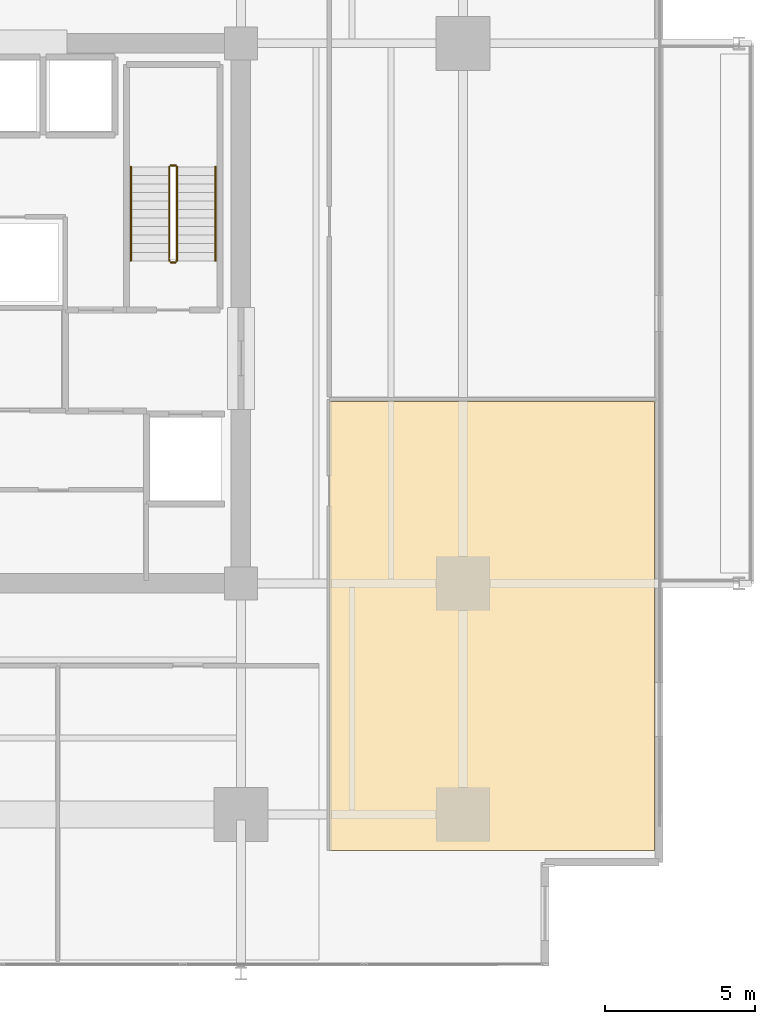
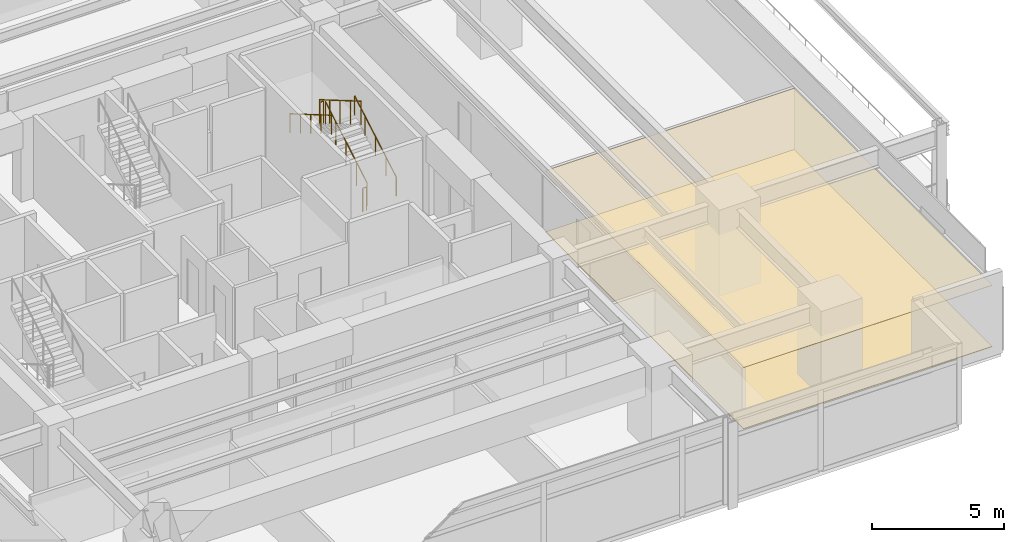
# One storey, part 20 of 21: 6 railings, 2 coverings.
"""IFC4 building model written with IfcOpenShell, lengths in metres."""

from ifc_helpers import new_model, si_unit, direction, frame, origin, origin_2d, place, context, subcontext, project, spatial, polyline, circle, outline, extrude, material, layer, layer_set, type_object, element, save


model = new_model("IFC4")

# Units and contexts
model_context = context("Model", 3, precision=1e-05, world=origin(), true_north=direction((0.0, 1.0)))
body_context = subcontext(model_context, "Body", "Model", "MODEL_VIEW")
ifc_project = project(units=[si_unit("LENGTHUNIT", "METRE"), si_unit("AREAUNIT", "SQUARE_METRE"), si_unit("VOLUMEUNIT", "CUBIC_METRE"), si_unit("PLANEANGLEUNIT", "RADIAN"), si_unit("MASSUNIT", "GRAM", prefix="KILO")], contexts=[model_context])

# Site, building, storey
site_placement = place(None, origin())
site = spatial("IfcSite", under=ifc_project, at=site_placement, CompositionType="ELEMENT")
building_placement = place(site_placement, origin())
building = spatial("IfcBuilding", under=site, at=building_placement, Name="Kovane Verandah Tower", CompositionType="ELEMENT")
storey_placement = place(building_placement, frame((0.0, 0.0, 31.60009765625)))
storey = spatial("IfcBuildingStorey", under=building, at=storey_placement, Name="L06", CompositionType="ELEMENT", Elevation=31.60009765625)

# Coverings
ifc_material_1 = material(Name="Perforated Acoustic Mineral-Fibre Ceiling Tile", Category="gypsum")
ifc_layer_1 = layer(ifc_material_1, 0.02490234375)
ifc_layer_set_1 = layer_set([ifc_layer_1], Name="Perforated Acoustic Mineral-Fibre Ceiling Tile")
covering_type_1 = type_object("IfcCoveringType", Name="CV-CEIL-25", PredefinedType="CEILING", material=ifc_layer_set_1)
covering_1_placement = place(storey_placement, frame((0.0, 0.0, 2.824951171875)))
element("IfcCovering", 1, at=covering_1_placement, inside=storey, type_object=covering_type_1, Name="L06 Collaboration Hub E1 Acoustic Ceiling", PredefinedType="CEILING", context=body_context, shape_type="SweptSolid", body=[
    extrude(outline(polyline([(53.949951171875, 9.60498046875), (64.78564453125, 9.60498046875), (64.78564453125, 24.56689453125), (53.949951171875, 24.56689453125), (53.949951171875, 9.60498046875)])), origin(), (0.0, 0.0, 1.0), 0.02490234375),
])
ifc_material_2 = material(Name="Polished Terrazzo and Raised-Access Carpet Tile Finish", Category="concrete")
ifc_layer_2 = layer(ifc_material_2, 0.030029296875)
ifc_layer_set_2 = layer_set([ifc_layer_2], Name="Polished Terrazzo and Raised-Access Carpet Tile Finish")
covering_type_2 = type_object("IfcCoveringType", Name="CV-FLOR-30", PredefinedType="FLOORING", material=ifc_layer_set_2)
covering_2_placement = place(storey_placement, origin())
element("IfcCovering", 2, at=covering_2_placement, inside=storey, type_object=covering_type_2, Name="L06 Collaboration Hub E1 Floor Finish", PredefinedType="FLOORING", context=body_context, shape_type="SweptSolid", body=[
    extrude(outline(polyline([(53.949951171875, 9.60498046875), (64.78564453125, 9.60498046875), (64.78564453125, 24.56689453125), (53.949951171875, 24.56689453125), (53.949951171875, 9.60498046875)])), origin(), (0.0, 0.0, 1.0), 0.02978515625),
])

# Railings
ifc_material_3 = material(Name="Brushed Stainless Steel Handrail", Category="steel")
railing_type_1 = type_object("IfcRailingType", Name="RL-HAND-920", PredefinedType="HANDRAIL", material=ifc_material_3)
railing_1_placement = place(storey_placement, frame((50.14990234375, 29.25, 0.16650390625)))
element("IfcRailing", 3, at=railing_1_placement, inside=storey, type_object=railing_type_1, Name="L06 ST-02 stair handrail 1", PredefinedType="HANDRAIL", context=body_context, shape_type="SweptSolid", body=[
    extrude(circle(Radius=0.02392578125, at=origin_2d()), frame((0.0, 0.0, 0.8759765625), z_axis=(0.0, 0.863210265497, 0.504844567704), x_axis=(-1.0, 0.0, 0.0)), (0.0, 0.0, 1.0), 3.6318359375),
    extrude(circle(Radius=0.02099609375, at=origin_2d()), origin(), (0.0, 0.0, 1.0), 0.851806640625),
    extrude(circle(Radius=0.02099609375, at=origin_2d()), frame((0.0, 0.78369140625, 0.45849609375)), (0.0, 0.0, 1.0), 0.851806640625),
    extrude(circle(Radius=0.02099609375, at=origin_2d()), frame((0.0, 1.5673828125, 0.916748046875)), (0.0, 0.0, 1.0), 0.851806640625),
    extrude(circle(Radius=0.02099609375, at=origin_2d()), frame((0.0, 2.351318359375, 1.375)), (0.0, 0.0, 1.0), 0.851806640625),
    extrude(circle(Radius=0.02099609375, at=origin_2d()), frame((0.0, 3.135009765625, 1.83349609375)), (0.0, 0.0, 1.0), 0.851806640625),
])
railing_2_placement = place(storey_placement, frame((47.330078125, 32.385009765625, 2.16650390625)))
element("IfcRailing", 4, at=railing_2_placement, inside=storey, type_object=railing_type_1, Name="L06 ST-02 stair handrail 2", PredefinedType="HANDRAIL", context=body_context, shape_type="SweptSolid", body=[
    extrude(circle(Radius=0.02392578125, at=origin_2d()), frame((0.0, 0.0, 0.8759765625), z_axis=(0.0, -0.863210265497, 0.504844567704), x_axis=(1.0, 0.0, 0.0)), (0.0, 0.0, 1.0), 3.6318359375),
    extrude(circle(Radius=0.02099609375, at=origin_2d()), origin(), (0.0, 0.0, 1.0), 0.851806640625),
    extrude(circle(Radius=0.02099609375, at=origin_2d()), frame((0.0, -0.78369140625, 0.45849609375)), (0.0, 0.0, 1.0), 0.851806640625),
    extrude(circle(Radius=0.02099609375, at=origin_2d()), frame((0.0, -1.5673828125, 0.916748046875)), (0.0, 0.0, 1.0), 0.851806640625),
    extrude(circle(Radius=0.02099609375, at=origin_2d()), frame((0.0, -2.351318359375, 1.375)), (0.0, 0.0, 1.0), 0.851806640625),
    extrude(circle(Radius=0.02099609375, at=origin_2d()), frame((0.0, -3.135009765625, 1.83349609375)), (0.0, 0.0, 1.0), 0.851806640625),
])
ifc_material_4 = material(Name="Painted Steel Stairwell Guardrail", Category="steel")
railing_type_2 = type_object("IfcRailingType", Name="RL-STGUARD-1120", PredefinedType="GUARDRAIL", material=ifc_material_4)
railing_3_placement = place(storey_placement, frame((48.8701171875, 29.25, 0.16650390625)))
element("IfcRailing", 5, at=railing_3_placement, inside=storey, type_object=railing_type_2, Name="L06 ST-02 stair guard 1", PredefinedType="GUARDRAIL", context=body_context, shape_type="SweptSolid", body=[
    extrude(circle(Radius=0.02392578125, at=origin_2d()), frame((0.0, 0.0, 1.076171875), z_axis=(0.0, 0.863210265497, 0.504844567704), x_axis=(-1.0, 0.0, 0.0)), (0.0, 0.0, 1.0), 3.6318359375),
    extrude(circle(Radius=0.02099609375, at=origin_2d()), origin(), (0.0, 0.0, 1.0), 1.052001953125),
    extrude(circle(Radius=0.02099609375, at=origin_2d()), frame((0.0, 0.78369140625, 0.45849609375)), (0.0, 0.0, 1.0), 1.052001953125),
    extrude(circle(Radius=0.02099609375, at=origin_2d()), frame((0.0, 1.5673828125, 0.916748046875)), (0.0, 0.0, 1.0), 1.052001953125),
    extrude(circle(Radius=0.02099609375, at=origin_2d()), frame((0.0, 2.351318359375, 1.375)), (0.0, 0.0, 1.0), 1.052001953125),
    extrude(circle(Radius=0.02099609375, at=origin_2d()), frame((0.0, 3.135009765625, 1.83349609375)), (0.0, 0.0, 1.0), 1.052001953125),
])
railing_4_placement = place(storey_placement, frame((48.820068359375, 32.43505859375, 2.0)))
element("IfcRailing", 6, at=railing_4_placement, inside=storey, type_object=railing_type_2, Name="L06 ST-02 stair guard 2", PredefinedType="GUARDRAIL", context=body_context, shape_type="SweptSolid", body=[
    extrude(circle(Radius=0.02392578125, at=origin_2d()), frame((0.0, 0.0, 1.076171875), z_axis=(-1.0, 0.0, 0.0), x_axis=(0.0, -1.0, 0.0)), (0.0, 0.0, 1.0), 0.16015625),
    extrude(circle(Radius=0.02099609375, at=origin_2d()), origin(), (0.0, 0.0, 1.0), 1.052001953125),
    extrude(circle(Radius=0.02099609375, at=origin_2d()), frame((-0.16015625, 0.0, 0.0)), (0.0, 0.0, 1.0), 1.052001953125),
])
railing_5_placement = place(storey_placement, frame((48.610107421875, 32.385009765625, 2.16650390625)))
element("IfcRailing", 7, at=railing_5_placement, inside=storey, type_object=railing_type_2, Name="L06 ST-02 stair guard 3", PredefinedType="GUARDRAIL", context=body_context, shape_type="SweptSolid", body=[
    extrude(circle(Radius=0.02392578125, at=origin_2d()), frame((0.0, 0.0, 1.076171875), z_axis=(0.0, -0.863210265497, 0.504844567704), x_axis=(1.0, 0.0, 0.0)), (0.0, 0.0, 1.0), 3.6318359375),
    extrude(circle(Radius=0.02099609375, at=origin_2d()), origin(), (0.0, 0.0, 1.0), 1.052001953125),
    extrude(circle(Radius=0.02099609375, at=origin_2d()), frame((0.0, -0.78369140625, 0.45849609375)), (0.0, 0.0, 1.0), 1.052001953125),
    extrude(circle(Radius=0.02099609375, at=origin_2d()), frame((0.0, -1.5673828125, 0.916748046875)), (0.0, 0.0, 1.0), 1.052001953125),
    extrude(circle(Radius=0.02099609375, at=origin_2d()), frame((0.0, -2.351318359375, 1.375)), (0.0, 0.0, 1.0), 1.052001953125),
    extrude(circle(Radius=0.02099609375, at=origin_2d()), frame((0.0, -3.135009765625, 1.83349609375)), (0.0, 0.0, 1.0), 1.052001953125),
])
railing_6_placement = place(storey_placement, frame((48.820068359375, 29.199951171875, 0.0)))
element("IfcRailing", 8, at=railing_6_placement, inside=storey, type_object=railing_type_2, Name="L06 ST-02 stair guard 4", PredefinedType="GUARDRAIL", context=body_context, shape_type="SweptSolid", body=[
    extrude(circle(Radius=0.02392578125, at=origin_2d()), frame((0.0, 0.0, 1.076171875), z_axis=(-1.0, 0.0, 0.0), x_axis=(0.0, -1.0, 0.0)), (0.0, 0.0, 1.0), 0.16015625),
    extrude(circle(Radius=0.02099609375, at=origin_2d()), origin(), (0.0, 0.0, 1.0), 1.052001953125),
    extrude(circle(Radius=0.02099609375, at=origin_2d()), frame((-0.16015625, 0.0, 0.0)), (0.0, 0.0, 1.0), 1.052001953125),
])

save(model, "model.ifc")
